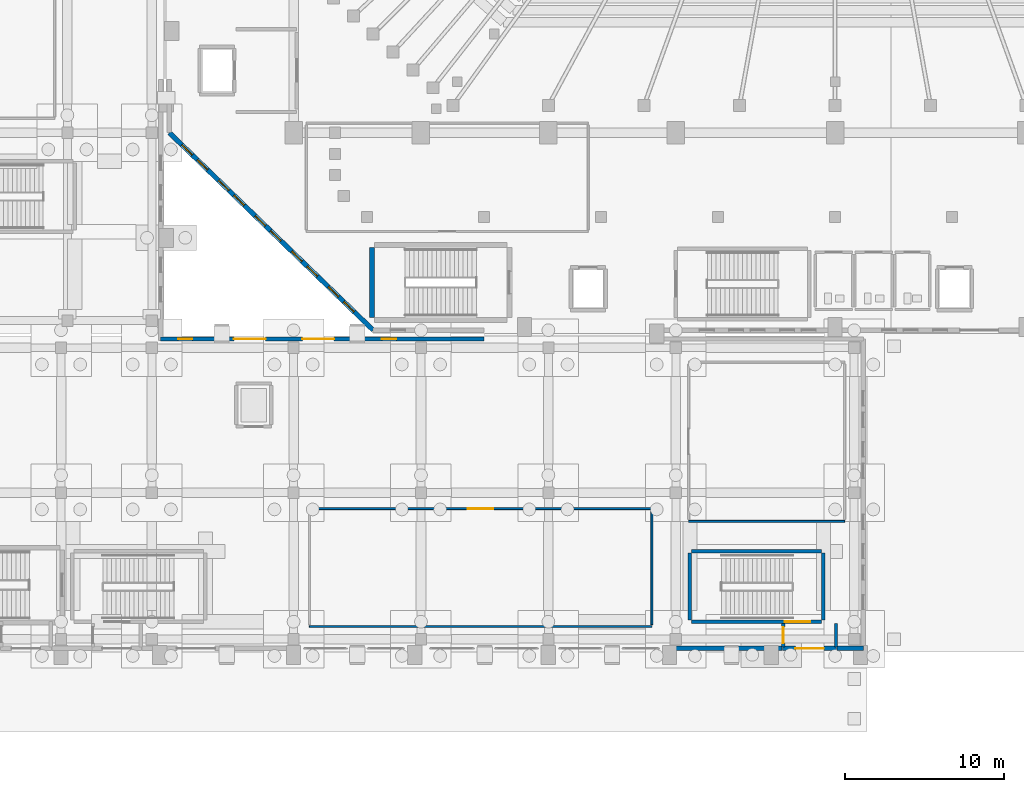
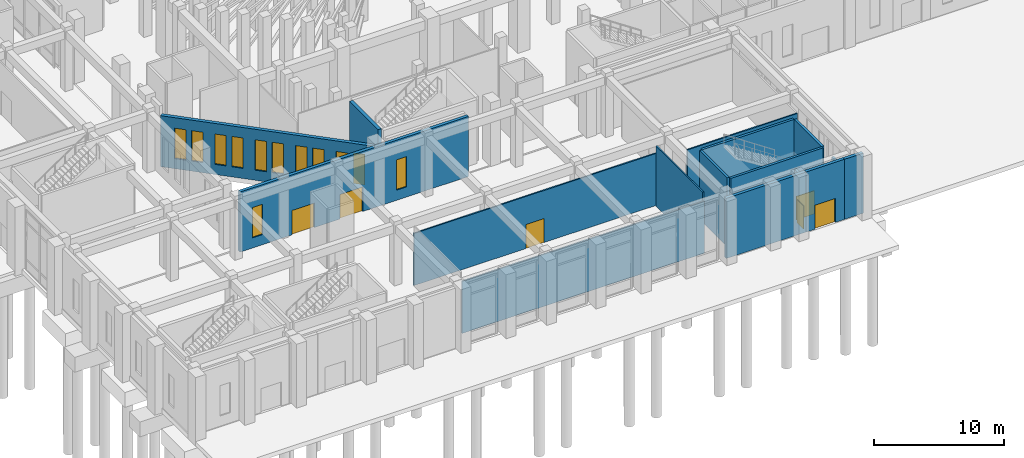
# One storey, part 104 of 143: 16 walls, 12 windows, 6 doors, 18 openings.
"""IFC4 building model written with IfcOpenShell, lengths in metres."""

from ifc_helpers import new_model, si_unit, derived_unit, direction, frame, frame_2d, origin, place, context, subcontext, project, spatial, rectangle, extrude, material, layer, layer_set, type_object, element, fill, save


model = new_model("IFC4")

# Units and contexts
model_context = context("Model", 3, precision=1e-05, world=origin(), true_north=direction((0.0, 1.0)))
body_context = subcontext(model_context, "Body", "Model", "MODEL_VIEW")
ifc_project = project(units=[si_unit("LENGTHUNIT", "METRE"), si_unit("AREAUNIT", "SQUARE_METRE"), si_unit("VOLUMEUNIT", "CUBIC_METRE"), si_unit("PLANEANGLEUNIT", "RADIAN"), si_unit("MASSUNIT", "GRAM", prefix="KILO"), derived_unit("THERMALTRANSMITTANCEUNIT", [(si_unit("MASSUNIT", "GRAM", prefix="KILO"), 1), (si_unit("TIMEUNIT", "SECOND"), -3), (si_unit("THERMODYNAMICTEMPERATUREUNIT", "KELVIN"), -1)])], contexts=[model_context])

# Site, building, storey
site_placement = place(None, origin())
site = spatial("IfcSite", under=ifc_project, at=site_placement, CompositionType="ELEMENT")
building_placement = place(site_placement, origin())
building = spatial("IfcBuilding", under=site, at=building_placement, Name="Valcora Ridge Arena", CompositionType="ELEMENT")
storey_placement = place(building_placement, origin())
storey = spatial("IfcBuildingStorey", under=building, at=storey_placement, Name="L00", CompositionType="ELEMENT", Elevation=0.0)

# Walls
ifc_material_1 = material(Name="Bush-hammered Andean travertine on concrete backup C40/50", Category="masonry")
ifc_layer_1 = layer(ifc_material_1, 0.280029296875, Name="Bush-hammered Andean travertine on concrete backup C40/50")
ifc_layer_set_1 = layer_set([ifc_layer_1], Name="Bush-hammered Andean travertine on concrete backup C40/50")
wall_type_1 = type_object("IfcWallType", Name="TY-WALL-EW-TRV-28-56", PredefinedType="STANDARD", material=ifc_layer_set_1)
wall_1_placement = place(storey_placement, frame((47.60009765625, 0.219970703125, 0.0), z_axis=(0.0, 0.0, 1.0), x_axis=(1.0, 0.0, 0.0)))
element("IfcWall", 1, at=wall_1_placement, inside=storey, type_object=wall_type_1, Name="EW-TRV-28-56 WAL-EW-0068", PredefinedType="STANDARD", context=body_context, shape_type="SweptSolid", body=[
    extrude(rectangle(XDim=7.079833984375, YDim=0.280029296875, at=frame_2d((3.5400390625, 0.0))), origin(), (0.0, 0.0, 1.0), 5.639892578125),
])
wall_2_placement = place(storey_placement, frame((58.1201171875, 0.219970703125, 0.0), z_axis=(0.0, 0.0, 1.0), x_axis=(1.0, 0.0, 0.0)))
element("IfcWall", 2, at=wall_2_placement, inside=storey, type_object=wall_type_1, Name="EW-TRV-28-56 WAL-EW-0069", PredefinedType="STANDARD", context=body_context, shape_type="SweptSolid", body=[
    extrude(rectangle(XDim=1.659912109375, YDim=0.280029296875, at=frame_2d((0.830078125, 0.0))), origin(), (0.0, 0.0, 1.0), 5.639892578125),
])

# Wall, openings, doors, windows
wall_3_placement = place(storey_placement, frame((15.64990234375, 19.64990234375, 0.0), z_axis=(0.0, 0.0, 1.0), x_axis=(1.0, 0.0, 0.0)))
wall_3 = element("IfcWall", 3, at=wall_3_placement, inside=storey, type_object=wall_type_1, Name="EW-TRV-28-56 WAL-EW-0071", PredefinedType="STANDARD", context=body_context, shape_type="SweptSolid", body=[
    extrude(rectangle(XDim=20.300048828125, YDim=0.280029296875, at=frame_2d((10.14990234375, 0.0))), origin(), (0.0, 0.0, 1.0), 5.639892578125),
])
opening_1_placement = place(wall_3_placement, frame((4.60009765625, 0.0, 0.0)))
opening_1 = element("IfcOpeningElement", 4, at=opening_1_placement, cuts=wall_3, Name="Opening D-EXIT-2000", PredefinedType="OPENING", context=body_context, shape_type="SweptSolid", body=[
    extrude(rectangle(XDim=2.0, YDim=2.300048828125, at=frame_2d((1.0, 1.14990234375))), frame((0.0, 0.14990234375, 0.0), z_axis=(0.0, -1.0, 0.0), x_axis=(1.0, 0.0, 0.0)), (0.0, 0.0, 1.0), 0.300048828125),
])
opening_2_placement = place(wall_3_placement, frame((8.89990234375, 0.0, 0.0)))
opening_2 = element("IfcOpeningElement", 5, at=opening_2_placement, cuts=wall_3, Name="Opening D-EXIT-2000", PredefinedType="OPENING", context=body_context, shape_type="SweptSolid", body=[
    extrude(rectangle(XDim=2.0, YDim=2.300048828125, at=frame_2d((1.0, 1.14990234375))), frame((0.0, 0.14990234375, 0.0), z_axis=(0.0, -1.0, 0.0), x_axis=(1.0, 0.0, 0.0)), (0.0, 0.0, 1.0), 0.300048828125),
])
opening_3_placement = place(wall_3_placement, frame((1.10009765625, 0.0, 0.949951171875)))
opening_3 = element("IfcOpeningElement", 6, at=opening_3_placement, cuts=wall_3, Name="Opening W-GLAN-90X285", PredefinedType="OPENING", context=body_context, shape_type="SweptSolid", body=[
    extrude(rectangle(XDim=0.89990234375, YDim=2.85009765625, at=frame_2d((0.449951171875, 1.425048828125))), frame((0.0, 0.14990234375, 0.0), z_axis=(0.0, -1.0, 0.0), x_axis=(1.0, 0.0, 0.0)), (0.0, 0.0, 1.0), 0.300048828125),
])
opening_4_placement = place(wall_3_placement, frame((13.89990234375, 0.0, 0.949951171875)))
opening_4 = element("IfcOpeningElement", 7, at=opening_4_placement, cuts=wall_3, Name="Opening W-GLAN-90X285", PredefinedType="OPENING", context=body_context, shape_type="SweptSolid", body=[
    extrude(rectangle(XDim=0.89990234375, YDim=2.85009765625, at=frame_2d((0.449951171875, 1.425048828125))), frame((0.0, 0.14990234375, 0.0), z_axis=(0.0, -1.0, 0.0), x_axis=(1.0, 0.0, 0.0)), (0.0, 0.0, 1.0), 0.300048828125),
])
ifc_material_2 = material(Name="Thermally broken bronze aluminium glazed entrance leaf", Category="aluminium")
door_type_1 = type_object("IfcDoorType", Name="TY-DOOR-D-EXIT-2000", OperationType="NOTDEFINED", PredefinedType="DOOR", material=ifc_material_2)
door_1_placement = place(opening_1_placement, origin())
door_1 = element("IfcDoor", 8, at=door_1_placement, inside=storey, type_object=door_type_1, Name="D-EXIT-2000 DOR-EX-0016", OperationType="DOUBLE_DOOR_SINGLE_SWING", OverallHeight=2.300048828125, OverallWidth=2.0, PredefinedType="DOOR", context=body_context, shape_type="SweptSolid", body=[
    extrude(rectangle(XDim=2.0, YDim=2.300048828125, at=frame_2d((1.0, 1.14990234375))), frame((0.0, 0.02490234375, 0.0), z_axis=(0.0, -1.0, 0.0), x_axis=(1.0, 0.0, 0.0)), (0.0, 0.0, 1.0), 0.050048828125),
])
fill(opening_1, door_1)
door_2_placement = place(opening_2_placement, origin())
door_2 = element("IfcDoor", 9, at=door_2_placement, inside=storey, type_object=door_type_1, Name="D-EXIT-2000 DOR-EX-0017", OperationType="DOUBLE_DOOR_SINGLE_SWING", OverallHeight=2.300048828125, OverallWidth=2.0, PredefinedType="DOOR", context=body_context, shape_type="SweptSolid", body=[
    extrude(rectangle(XDim=2.0, YDim=2.300048828125, at=frame_2d((1.0, 1.14990234375))), frame((0.0, 0.02490234375, 0.0), z_axis=(0.0, -1.0, 0.0), x_axis=(1.0, 0.0, 0.0)), (0.0, 0.0, 1.0), 0.050048828125),
])
fill(opening_2, door_2)
ifc_material_3 = material(Name="Low-iron solar-control double glazing SHGC 0.28", Category="glass")
window_type = type_object("IfcWindowType", Name="TY-WINDOW-W-GLAN-90X285", PartitioningType="DOUBLE_PANEL_VERTICAL", PredefinedType="WINDOW", material=ifc_material_3)
window_1_placement = place(opening_3_placement, origin())
window_1 = element("IfcWindow", 10, at=window_1_placement, inside=storey, type_object=window_type, Name="W-GLAN-90X285 WIN-EX-0186", OverallHeight=2.85009765625, OverallWidth=0.89990234375, PartitioningType="DOUBLE_PANEL_VERTICAL", PredefinedType="WINDOW", context=body_context, shape_type="SweptSolid", body=[
    extrude(rectangle(XDim=0.89990234375, YDim=2.85009765625, at=frame_2d((0.449951171875, 1.425048828125))), frame((0.0, 0.030029296875, 0.0), z_axis=(0.0, -1.0, 0.0), x_axis=(1.0, 0.0, 0.0)), (0.0, 0.0, 1.0), 0.06005859375),
])
fill(opening_3, window_1)
window_2_placement = place(opening_4_placement, origin())
window_2 = element("IfcWindow", 11, at=window_2_placement, inside=storey, type_object=window_type, Name="W-GLAN-90X285 WIN-EX-0187", OverallHeight=2.85009765625, OverallWidth=0.89990234375, PartitioningType="DOUBLE_PANEL_VERTICAL", PredefinedType="WINDOW", context=body_context, shape_type="SweptSolid", body=[
    extrude(rectangle(XDim=0.89990234375, YDim=2.85009765625, at=frame_2d((0.449951171875, 1.425048828125))), frame((0.0, 0.030029296875, 0.0), z_axis=(0.0, -1.0, 0.0), x_axis=(1.0, 0.0, 0.0)), (0.0, 0.0, 1.0), 0.06005859375),
])
fill(opening_4, window_2)

# Wall, openings, windows
ifc_layer_2 = layer(ifc_material_1, 0.300048828125, Name="Bush-hammered Andean travertine on concrete backup C40/50")
ifc_layer_set_2 = layer_set([ifc_layer_2], Name="Bush-hammered Andean travertine on concrete backup C40/50")
wall_type_2 = type_object("IfcWallType", Name="TY-WALL-EW-TRV-30-48", PredefinedType="STANDARD", material=ifc_layer_set_2)
wall_4_placement = place(storey_placement, frame((16.199951171875, 32.60009765625, 0.0), z_axis=(0.0, 0.0, 1.0), x_axis=(0.718237441527, -0.695798086796, 0.0)))
wall_4 = element("IfcWall", 12, at=wall_4_placement, inside=storey, type_object=wall_type_2, Name="EW-TRV-30-48 WAL-EW-0027", PredefinedType="STANDARD", context=body_context, shape_type="SweptSolid", body=[
    extrude(rectangle(XDim=17.821533203125, YDim=0.300048828125, at=frame_2d((8.91064453125, 0.0))), origin(), (0.0, 0.0, 1.0), 4.7900390625),
])
opening_5_placement = place(wall_4_placement, frame((1.10009765625, 0.0, 0.949951171875)))
opening_5 = element("IfcOpeningElement", 13, at=opening_5_placement, cuts=wall_4, Name="Opening W-GLAN-90X285", PredefinedType="OPENING", context=body_context, shape_type="SweptSolid", body=[
    extrude(rectangle(XDim=0.89990234375, YDim=2.85009765625, at=frame_2d((0.449951171875, 1.425048828125))), frame((0.0, 0.159912109375, 0.0), z_axis=(0.0, -1.0, 0.0), x_axis=(1.0, 0.0, 0.0)), (0.0, 0.0, 1.0), 0.320068359375),
])
opening_6_placement = place(wall_4_placement, frame((2.449951171875, 0.0, 0.949951171875)))
opening_6 = element("IfcOpeningElement", 14, at=opening_6_placement, cuts=wall_4, Name="Opening W-GLAN-90X285", PredefinedType="OPENING", context=body_context, shape_type="SweptSolid", body=[
    extrude(rectangle(XDim=0.89990234375, YDim=2.85009765625, at=frame_2d((0.449951171875, 1.425048828125))), frame((0.0, 0.159912109375, 0.0), z_axis=(0.0, -1.0, 0.0), x_axis=(1.0, 0.0, 0.0)), (0.0, 0.0, 1.0), 0.320068359375),
])
opening_7_placement = place(wall_4_placement, frame((4.300048828125, 0.0, 0.949951171875)))
opening_7 = element("IfcOpeningElement", 15, at=opening_7_placement, cuts=wall_4, Name="Opening W-GLAN-90X285", PredefinedType="OPENING", context=body_context, shape_type="SweptSolid", body=[
    extrude(rectangle(XDim=0.89990234375, YDim=2.85009765625, at=frame_2d((0.449951171875, 1.425048828125))), frame((0.0, 0.159912109375, 0.0), z_axis=(0.0, -1.0, 0.0), x_axis=(1.0, 0.0, 0.0)), (0.0, 0.0, 1.0), 0.320068359375),
])
opening_8_placement = place(wall_4_placement, frame((5.64990234375, 0.0, 0.949951171875)))
opening_8 = element("IfcOpeningElement", 16, at=opening_8_placement, cuts=wall_4, Name="Opening W-GLAN-90X285", PredefinedType="OPENING", context=body_context, shape_type="SweptSolid", body=[
    extrude(rectangle(XDim=0.89990234375, YDim=2.85009765625, at=frame_2d((0.449951171875, 1.425048828125))), frame((0.0, 0.159912109375, 0.0), z_axis=(0.0, -1.0, 0.0), x_axis=(1.0, 0.0, 0.0)), (0.0, 0.0, 1.0), 0.320068359375),
])
opening_9_placement = place(wall_4_placement, frame((7.5, 0.0, 0.949951171875)))
opening_9 = element("IfcOpeningElement", 17, at=opening_9_placement, cuts=wall_4, Name="Opening W-GLAN-90X285", PredefinedType="OPENING", context=body_context, shape_type="SweptSolid", body=[
    extrude(rectangle(XDim=0.89990234375, YDim=2.85009765625, at=frame_2d((0.449951171875, 1.425048828125))), frame((0.0, 0.159912109375, 0.0), z_axis=(0.0, -1.0, 0.0), x_axis=(1.0, 0.0, 0.0)), (0.0, 0.0, 1.0), 0.320068359375),
])
opening_10_placement = place(wall_4_placement, frame((8.85009765625, 0.0, 0.949951171875)))
opening_10 = element("IfcOpeningElement", 18, at=opening_10_placement, cuts=wall_4, Name="Opening W-GLAN-90X285", PredefinedType="OPENING", context=body_context, shape_type="SweptSolid", body=[
    extrude(rectangle(XDim=0.89990234375, YDim=2.85009765625, at=frame_2d((0.449951171875, 1.425048828125))), frame((0.0, 0.159912109375, 0.0), z_axis=(0.0, -1.0, 0.0), x_axis=(1.0, 0.0, 0.0)), (0.0, 0.0, 1.0), 0.320068359375),
])
opening_11_placement = place(wall_4_placement, frame((10.699951171875, 0.0, 0.949951171875)))
opening_11 = element("IfcOpeningElement", 19, at=opening_11_placement, cuts=wall_4, Name="Opening W-GLAN-90X285", PredefinedType="OPENING", context=body_context, shape_type="SweptSolid", body=[
    extrude(rectangle(XDim=0.89990234375, YDim=2.85009765625, at=frame_2d((0.449951171875, 1.425048828125))), frame((0.0, 0.159912109375, 0.0), z_axis=(0.0, -1.0, 0.0), x_axis=(1.0, 0.0, 0.0)), (0.0, 0.0, 1.0), 0.320068359375),
])
opening_12_placement = place(wall_4_placement, frame((12.050048828125, 0.0, 0.949951171875)))
opening_12 = element("IfcOpeningElement", 20, at=opening_12_placement, cuts=wall_4, Name="Opening W-GLAN-90X285", PredefinedType="OPENING", context=body_context, shape_type="SweptSolid", body=[
    extrude(rectangle(XDim=0.89990234375, YDim=2.85009765625, at=frame_2d((0.449951171875, 1.425048828125))), frame((0.0, 0.159912109375, 0.0), z_axis=(0.0, -1.0, 0.0), x_axis=(1.0, 0.0, 0.0)), (0.0, 0.0, 1.0), 0.320068359375),
])
opening_13_placement = place(wall_4_placement, frame((13.89990234375, 0.0, 0.949951171875)))
opening_13 = element("IfcOpeningElement", 21, at=opening_13_placement, cuts=wall_4, Name="Opening W-GLAN-90X285", PredefinedType="OPENING", context=body_context, shape_type="SweptSolid", body=[
    extrude(rectangle(XDim=0.89990234375, YDim=2.85009765625, at=frame_2d((0.449951171875, 1.425048828125))), frame((0.0, 0.159912109375, 0.0), z_axis=(0.0, -1.0, 0.0), x_axis=(1.0, 0.0, 0.0)), (0.0, 0.0, 1.0), 0.320068359375),
])
opening_14_placement = place(wall_4_placement, frame((15.25, 0.0, 0.949951171875)))
opening_14 = element("IfcOpeningElement", 22, at=opening_14_placement, cuts=wall_4, Name="Opening W-GLAN-90X285", PredefinedType="OPENING", context=body_context, shape_type="SweptSolid", body=[
    extrude(rectangle(XDim=0.89990234375, YDim=2.85009765625, at=frame_2d((0.449951171875, 1.425048828125))), frame((0.0, 0.159912109375, 0.0), z_axis=(0.0, -1.0, 0.0), x_axis=(1.0, 0.0, 0.0)), (0.0, 0.0, 1.0), 0.320068359375),
])
window_3_placement = place(opening_5_placement, origin())
window_3 = element("IfcWindow", 23, at=window_3_placement, inside=storey, type_object=window_type, Name="W-GLAN-90X285 WIN-EX-0030", OverallHeight=2.85009765625, OverallWidth=0.89990234375, PartitioningType="DOUBLE_PANEL_VERTICAL", PredefinedType="WINDOW", context=body_context, shape_type="SweptSolid", body=[
    extrude(rectangle(XDim=0.89990234375, YDim=2.85009765625, at=frame_2d((0.449951171875, 1.425048828125))), frame((0.0, 0.030029296875, 0.0), z_axis=(0.0, -1.0, 0.0), x_axis=(1.0, 0.0, 0.0)), (0.0, 0.0, 1.0), 0.06005859375),
])
fill(opening_5, window_3)
window_4_placement = place(opening_6_placement, origin())
window_4 = element("IfcWindow", 24, at=window_4_placement, inside=storey, type_object=window_type, Name="W-GLAN-90X285 WIN-EX-0031", OverallHeight=2.85009765625, OverallWidth=0.89990234375, PartitioningType="DOUBLE_PANEL_VERTICAL", PredefinedType="WINDOW", context=body_context, shape_type="SweptSolid", body=[
    extrude(rectangle(XDim=0.89990234375, YDim=2.85009765625, at=frame_2d((0.449951171875, 1.425048828125))), frame((0.0, 0.030029296875, 0.0), z_axis=(0.0, -1.0, 0.0), x_axis=(1.0, 0.0, 0.0)), (0.0, 0.0, 1.0), 0.06005859375),
])
fill(opening_6, window_4)
window_5_placement = place(opening_7_placement, origin())
window_5 = element("IfcWindow", 25, at=window_5_placement, inside=storey, type_object=window_type, Name="W-GLAN-90X285 WIN-EX-0032", OverallHeight=2.85009765625, OverallWidth=0.89990234375, PartitioningType="DOUBLE_PANEL_VERTICAL", PredefinedType="WINDOW", context=body_context, shape_type="SweptSolid", body=[
    extrude(rectangle(XDim=0.89990234375, YDim=2.85009765625, at=frame_2d((0.449951171875, 1.425048828125))), frame((0.0, 0.030029296875, 0.0), z_axis=(0.0, -1.0, 0.0), x_axis=(1.0, 0.0, 0.0)), (0.0, 0.0, 1.0), 0.06005859375),
])
fill(opening_7, window_5)
window_6_placement = place(opening_8_placement, origin())
window_6 = element("IfcWindow", 26, at=window_6_placement, inside=storey, type_object=window_type, Name="W-GLAN-90X285 WIN-EX-0033", OverallHeight=2.85009765625, OverallWidth=0.89990234375, PartitioningType="DOUBLE_PANEL_VERTICAL", PredefinedType="WINDOW", context=body_context, shape_type="SweptSolid", body=[
    extrude(rectangle(XDim=0.89990234375, YDim=2.85009765625, at=frame_2d((0.449951171875, 1.425048828125))), frame((0.0, 0.030029296875, 0.0), z_axis=(0.0, -1.0, 0.0), x_axis=(1.0, 0.0, 0.0)), (0.0, 0.0, 1.0), 0.06005859375),
])
fill(opening_8, window_6)
window_7_placement = place(opening_9_placement, origin())
window_7 = element("IfcWindow", 27, at=window_7_placement, inside=storey, type_object=window_type, Name="W-GLAN-90X285 WIN-EX-0034", OverallHeight=2.85009765625, OverallWidth=0.89990234375, PartitioningType="DOUBLE_PANEL_VERTICAL", PredefinedType="WINDOW", context=body_context, shape_type="SweptSolid", body=[
    extrude(rectangle(XDim=0.89990234375, YDim=2.85009765625, at=frame_2d((0.449951171875, 1.425048828125))), frame((0.0, 0.030029296875, 0.0), z_axis=(0.0, -1.0, 0.0), x_axis=(1.0, 0.0, 0.0)), (0.0, 0.0, 1.0), 0.06005859375),
])
fill(opening_9, window_7)
window_8_placement = place(opening_10_placement, origin())
window_8 = element("IfcWindow", 28, at=window_8_placement, inside=storey, type_object=window_type, Name="W-GLAN-90X285 WIN-EX-0035", OverallHeight=2.85009765625, OverallWidth=0.89990234375, PartitioningType="DOUBLE_PANEL_VERTICAL", PredefinedType="WINDOW", context=body_context, shape_type="SweptSolid", body=[
    extrude(rectangle(XDim=0.89990234375, YDim=2.85009765625, at=frame_2d((0.449951171875, 1.425048828125))), frame((0.0, 0.030029296875, 0.0), z_axis=(0.0, -1.0, 0.0), x_axis=(1.0, 0.0, 0.0)), (0.0, 0.0, 1.0), 0.06005859375),
])
fill(opening_10, window_8)
window_9_placement = place(opening_11_placement, origin())
window_9 = element("IfcWindow", 29, at=window_9_placement, inside=storey, type_object=window_type, Name="W-GLAN-90X285 WIN-EX-0036", OverallHeight=2.85009765625, OverallWidth=0.89990234375, PartitioningType="DOUBLE_PANEL_VERTICAL", PredefinedType="WINDOW", context=body_context, shape_type="SweptSolid", body=[
    extrude(rectangle(XDim=0.89990234375, YDim=2.85009765625, at=frame_2d((0.449951171875, 1.425048828125))), frame((0.0, 0.030029296875, 0.0), z_axis=(0.0, -1.0, 0.0), x_axis=(1.0, 0.0, 0.0)), (0.0, 0.0, 1.0), 0.06005859375),
])
fill(opening_11, window_9)
window_10_placement = place(opening_12_placement, origin())
window_10 = element("IfcWindow", 30, at=window_10_placement, inside=storey, type_object=window_type, Name="W-GLAN-90X285 WIN-EX-0037", OverallHeight=2.85009765625, OverallWidth=0.89990234375, PartitioningType="DOUBLE_PANEL_VERTICAL", PredefinedType="WINDOW", context=body_context, shape_type="SweptSolid", body=[
    extrude(rectangle(XDim=0.89990234375, YDim=2.85009765625, at=frame_2d((0.449951171875, 1.425048828125))), frame((0.0, 0.030029296875, 0.0), z_axis=(0.0, -1.0, 0.0), x_axis=(1.0, 0.0, 0.0)), (0.0, 0.0, 1.0), 0.06005859375),
])
fill(opening_12, window_10)
window_11_placement = place(opening_13_placement, origin())
window_11 = element("IfcWindow", 31, at=window_11_placement, inside=storey, type_object=window_type, Name="W-GLAN-90X285 WIN-EX-0038", OverallHeight=2.85009765625, OverallWidth=0.89990234375, PartitioningType="DOUBLE_PANEL_VERTICAL", PredefinedType="WINDOW", context=body_context, shape_type="SweptSolid", body=[
    extrude(rectangle(XDim=0.89990234375, YDim=2.85009765625, at=frame_2d((0.449951171875, 1.425048828125))), frame((0.0, 0.030029296875, 0.0), z_axis=(0.0, -1.0, 0.0), x_axis=(1.0, 0.0, 0.0)), (0.0, 0.0, 1.0), 0.06005859375),
])
fill(opening_13, window_11)
window_12_placement = place(opening_14_placement, origin())
window_12 = element("IfcWindow", 32, at=window_12_placement, inside=storey, type_object=window_type, Name="W-GLAN-90X285 WIN-EX-0039", OverallHeight=2.85009765625, OverallWidth=0.89990234375, PartitioningType="DOUBLE_PANEL_VERTICAL", PredefinedType="WINDOW", context=body_context, shape_type="SweptSolid", body=[
    extrude(rectangle(XDim=0.89990234375, YDim=2.85009765625, at=frame_2d((0.449951171875, 1.425048828125))), frame((0.0, 0.030029296875, 0.0), z_axis=(0.0, -1.0, 0.0), x_axis=(1.0, 0.0, 0.0)), (0.0, 0.0, 1.0), 0.06005859375),
])
fill(opening_14, window_12)

# Wall, opening, door
ifc_layer_3 = layer(ifc_material_1, 0.280029296875, Name="Bush-hammered Andean travertine on concrete backup C40/50")
ifc_layer_set_3 = layer_set([ifc_layer_3], Name="Bush-hammered Andean travertine on concrete backup C40/50")
wall_type_3 = type_object("IfcWallType", Name="TY-WALL-EW-TRV-XP-56", PredefinedType="STANDARD", material=ifc_layer_set_3)
wall_5_placement = place(storey_placement, frame((58.10009765625, 0.219970703125, 0.0), z_axis=(0.0, 0.0, 1.0), x_axis=(-1.0, 0.0, 0.0)))
wall_5 = element("IfcWall", 33, at=wall_5_placement, inside=storey, type_object=wall_type_3, Name="EW-TRV-XP-56 WAL-XP-0007", PredefinedType="STANDARD", context=body_context, shape_type="SweptSolid", body=[
    extrude(rectangle(XDim=3.400146484375, YDim=0.280029296875, at=frame_2d((1.7001953125, 0.0))), origin(), (0.0, 0.0, 1.0), 5.639892578125),
])
opening_15_placement = place(wall_5_placement, frame((0.800048828125, 0.0, 0.0)))
opening_15 = element("IfcOpeningElement", 34, at=opening_15_placement, cuts=wall_5, Name="Opening D-EXP-1800", PredefinedType="OPENING", context=body_context, shape_type="SweptSolid", body=[
    extrude(rectangle(XDim=1.800048828125, YDim=2.25, at=frame_2d((0.89990234375, 1.125))), frame((0.0, 0.14990234375, 0.0), z_axis=(0.0, -1.0, 0.0), x_axis=(1.0, 0.0, 0.0)), (0.0, 0.0, 1.0), 0.300048828125),
])
ifc_material_4 = material(Name="Insulated fire-rated steel door leaf", Category="steel")
door_type_2 = type_object("IfcDoorType", Name="TY-DOOR-D-EXP-1800", OperationType="NOTDEFINED", PredefinedType="DOOR", material=ifc_material_4)
door_3_placement = place(opening_15_placement, origin())
door_3 = element("IfcDoor", 35, at=door_3_placement, inside=storey, type_object=door_type_2, Name="Final Exit Discharge Door ES06", OperationType="DOUBLE_DOOR_SINGLE_SWING", OverallHeight=2.25, OverallWidth=1.800048828125, PredefinedType="DOOR", context=body_context, shape_type="SweptSolid", body=[
    extrude(rectangle(XDim=1.800048828125, YDim=2.25, at=frame_2d((0.89990234375, 1.125))), frame((0.0, 0.02490234375, 0.0), z_axis=(0.0, -1.0, 0.0), x_axis=(1.0, 0.0, 0.0)), (0.0, 0.0, 1.0), 0.050048828125),
])
fill(opening_15, door_3)

ifc_material_5 = material(Name="Fire-resisting reinforced concrete enclosure C40/50 200 mm", Category="concrete")
ifc_layer_4 = layer(ifc_material_5, 0.199951171875, Name="Fire-resisting reinforced concrete enclosure C40/50 200 mm")
ifc_layer_set_4 = layer_set([ifc_layer_4], Name="Fire-resisting reinforced concrete enclosure C40/50 200 mm")
wall_type_4 = type_object("IfcWallType", Name="TY-WALL-IW-FIRE-200", PredefinedType="STANDARD", material=ifc_layer_set_4)
wall_6_placement = place(storey_placement, frame((54.75, 0.320068359375, 0.0), z_axis=(0.0, 0.0, 1.0), x_axis=(0.0, 1.0, 0.0)))
wall_6 = element("IfcWall", 36, at=wall_6_placement, inside=storey, type_object=wall_type_4, Name="IW-FIRE-200 WAL-XP-0008", PredefinedType="STANDARD", context=body_context, shape_type="SweptSolid", body=[
    extrude(rectangle(XDim=1.469970703125, YDim=0.199951171875, at=frame_2d((0.73486328125, 0.0))), origin(), (0.0, 0.0, 1.0), 4.889892578125),
])
opening_16_placement = place(wall_6_placement, frame((0.235107421875, 0.0, 0.0)))
opening_16 = element("IfcOpeningElement", 37, at=opening_16_placement, cuts=wall_6, Name="Opening FD-STE-1000", PredefinedType="OPENING", context=body_context, shape_type="SweptSolid", body=[
    extrude(rectangle(XDim=1.0, YDim=2.14990234375, at=frame_2d((0.5, 1.074951171875))), frame((0.0, 0.10986328125, 0.0), z_axis=(0.0, -1.0, 0.0), x_axis=(1.0, 0.0, 0.0)), (0.0, 0.0, 1.0), 0.219970703125),
])
door_type_3 = type_object("IfcDoorType", Name="TY-DOOR-FD-STE-1000", OperationType="NOTDEFINED", PredefinedType="DOOR", material=ifc_material_4)
door_4_placement = place(opening_16_placement, origin())
door_4 = element("IfcDoor", 38, at=door_4_placement, inside=storey, type_object=door_type_3, Name="FD-STE-1000 DOR-XP-0006", OperationType="SINGLE_SWING_LEFT", OverallHeight=2.14990234375, OverallWidth=1.0, PredefinedType="DOOR", context=body_context, shape_type="SweptSolid", body=[
    extrude(rectangle(XDim=1.0, YDim=2.14990234375, at=frame_2d((0.5, 1.074951171875))), frame((0.0, 0.02490234375, 0.0), z_axis=(0.0, -1.0, 0.0), x_axis=(1.0, 0.0, 0.0)), (0.0, 0.0, 1.0), 0.050048828125),
])
fill(opening_16, door_4)

# Walls
wall_7_placement = place(storey_placement, frame((58.050048828125, 0.320068359375, 0.0), z_axis=(0.0, 0.0, 1.0), x_axis=(0.0, 1.0, 0.0)))
element("IfcWall", 39, at=wall_7_placement, inside=storey, type_object=wall_type_4, Name="IW-FIRE-200 WAL-XP-0009", PredefinedType="STANDARD", context=body_context, shape_type="SweptSolid", body=[
    extrude(rectangle(XDim=1.469970703125, YDim=0.199951171875, at=frame_2d((0.73486328125, 0.0))), origin(), (0.0, 0.0, 1.0), 4.889892578125),
])
ifc_material_6 = material(Name="Acoustic metal-stud gypsum partition 120 mm")
ifc_layer_5 = layer(ifc_material_6, 0.1201171875, Name="Acoustic metal-stud gypsum partition 120 mm")
ifc_layer_set_5 = layer_set([ifc_layer_5], Name="Acoustic metal-stud gypsum partition 120 mm")
wall_type_5 = type_object("IfcWallType", Name="TY-WALL-IW-PART-120", PredefinedType="PARTITIONING", material=ifc_layer_set_5)
wall_8_placement = place(storey_placement, frame((25.0, 1.60009765625, 0.0), z_axis=(0.0, 0.0, 1.0), x_axis=(1.0, 0.0, 0.0)))
element("IfcWall", 40, at=wall_8_placement, inside=storey, type_object=wall_type_5, Name="IW-PART-120 WAL-IN-0257", PredefinedType="PARTITIONING", context=body_context, shape_type="SweptSolid", body=[
    extrude(rectangle(XDim=21.5, YDim=0.1201171875, at=frame_2d((10.75, 0.0))), origin(), (0.0, 0.0, 1.0), 4.889892578125),
])

# Wall, opening, door
wall_9_placement = place(storey_placement, frame((25.0, 9.0, 0.0), z_axis=(0.0, 0.0, 1.0), x_axis=(1.0, 0.0, 0.0)))
wall_9 = element("IfcWall", 41, at=wall_9_placement, inside=storey, type_object=wall_type_5, Name="IW-PART-120 WAL-IN-0258", PredefinedType="PARTITIONING", context=body_context, shape_type="SweptSolid", body=[
    extrude(rectangle(XDim=21.5, YDim=0.1201171875, at=frame_2d((10.75, 0.0))), origin(), (0.0, 0.0, 1.0), 4.889892578125),
])
opening_17_placement = place(wall_9_placement, frame((9.949951171875, 0.0, 0.0)))
opening_17 = element("IfcOpeningElement", 42, at=opening_17_placement, cuts=wall_9, Name="Opening D-PUB-1600", PredefinedType="OPENING", context=body_context, shape_type="SweptSolid", body=[
    extrude(rectangle(XDim=1.60009765625, YDim=2.25, at=frame_2d((0.800048828125, 1.125))), frame((0.0, 0.070068359375, 0.0), z_axis=(0.0, -1.0, 0.0), x_axis=(1.0, 0.0, 0.0)), (0.0, 0.0, 1.0), 0.14013671875),
])
ifc_material_7 = material(Name="Solid-core acoustic timber veneer door leaf", Category="wood")
door_type_4 = type_object("IfcDoorType", Name="TY-DOOR-D-PUB-1600", OperationType="NOTDEFINED", PredefinedType="DOOR", material=ifc_material_7)
door_5_placement = place(opening_17_placement, origin())
door_5 = element("IfcDoor", 43, at=door_5_placement, inside=storey, type_object=door_type_4, Name="D-PUB-1600 DOR-IN-0069", OperationType="DOUBLE_DOOR_SINGLE_SWING", OverallHeight=2.25, OverallWidth=1.60009765625, PredefinedType="DOOR", context=body_context, shape_type="SweptSolid", body=[
    extrude(rectangle(XDim=1.60009765625, YDim=2.25, at=frame_2d((0.800048828125, 1.125))), frame((0.0, 0.02490234375, 0.0), z_axis=(0.0, -1.0, 0.0), x_axis=(1.0, 0.0, 0.0)), (0.0, 0.0, 1.0), 0.050048828125),
])
fill(opening_17, door_5)

# Walls
wall_10_placement = place(storey_placement, frame((46.5, 1.719970703125, 0.0), z_axis=(0.0, 0.0, 1.0), x_axis=(0.0, 1.0, 0.0)))
element("IfcWall", 44, at=wall_10_placement, inside=storey, type_object=wall_type_5, Name="IW-PART-120 WAL-IN-0260", PredefinedType="PARTITIONING", context=body_context, shape_type="SweptSolid", body=[
    extrude(rectangle(XDim=7.159912109375, YDim=0.1201171875, at=frame_2d((3.580078125, 0.0))), origin(), (0.0, 0.0, 1.0), 5.639892578125),
])
wall_11_placement = place(storey_placement, frame((48.800048828125, 8.199951171875, 0.0), z_axis=(0.0, 0.0, 1.0), x_axis=(1.0, 0.0, 0.0)))
element("IfcWall", 45, at=wall_11_placement, inside=storey, type_object=wall_type_5, Name="IW-PART-120 WAL-IN-0261", PredefinedType="PARTITIONING", context=body_context, shape_type="SweptSolid", body=[
    extrude(rectangle(XDim=9.800048828125, YDim=0.1201171875, at=frame_2d((4.89990234375, 0.0))), origin(), (0.0, 0.0, 1.0), 4.889892578125),
])
ifc_material_8 = material(Name="Concrete C45/55", Category="concrete")
ifc_layer_6 = layer(ifc_material_8, 0.300048828125, Name="Concrete C45/55")
ifc_layer_set_6 = layer_set([ifc_layer_6], Name="Concrete C45/55")
wall_type_6 = type_object("IfcWallType", Name="TY-WALL-SW-C300-S", PredefinedType="SHEAR", material=ifc_layer_set_6)
wall_12_placement = place(storey_placement, frame((28.929931640625, 21.0, 0.0), z_axis=(0.0, 0.0, 1.0), x_axis=(0.0, 1.0, 0.0)))
element("IfcWall", 46, at=wall_12_placement, inside=storey, type_object=wall_type_6, Name="SW-C300-S WAL-CR-0007", PredefinedType="SHEAR", context=body_context, shape_type="SweptSolid", body=[
    extrude(rectangle(XDim=4.39990234375, YDim=0.300048828125, at=frame_2d((2.199951171875, 0.0))), origin(), (0.0, 0.0, 1.0), 6.0),
])

# Wall, opening, door
ifc_layer_7 = layer(ifc_material_5, 0.219970703125, Name="Fire-resisting reinforced concrete enclosure C40/50 200 mm")
ifc_layer_set_7 = layer_set([ifc_layer_7], Name="Fire-resisting reinforced concrete enclosure C40/50 200 mm")
wall_type_7 = type_object("IfcWallType", Name="TY-WALL-SW-ES-220", PredefinedType="SHEAR", material=ifc_layer_set_7)
wall_13_placement = place(storey_placement, frame((49.0, 1.889892578125, -0.449951171875), z_axis=(0.0, 0.0, 1.0), x_axis=(1.0, 0.0, 0.0)))
wall_13 = element("IfcWall", 47, at=wall_13_placement, inside=storey, type_object=wall_type_7, Name="SW-ES-220 WAL-ES-0117", PredefinedType="SHEAR", context=body_context, shape_type="SweptSolid", body=[
    extrude(rectangle(XDim=8.159912109375, YDim=0.219970703125, at=frame_2d((4.080078125, 0.0))), origin(), (0.0, 0.0, 1.0), 6.449951171875),
])
opening_18_placement = place(wall_13_placement, frame((5.85009765625, 0.0, 0.449951171875)))
opening_18 = element("IfcOpeningElement", 48, at=opening_18_placement, cuts=wall_13, Name="Opening FD-02", PredefinedType="OPENING", context=body_context, shape_type="SweptSolid", body=[
    extrude(rectangle(XDim=1.60009765625, YDim=2.199951171875, at=frame_2d((0.800048828125, 1.10009765625))), frame((0.0, 0.119873046875, 0.0), z_axis=(0.0, -1.0, 0.0), x_axis=(1.0, 0.0, 0.0)), (0.0, 0.0, 1.0), 0.239990234375),
])
door_type_5 = type_object("IfcDoorType", Name="TY-DOOR-FD-02", OperationType="NOTDEFINED", PredefinedType="DOOR", material=ifc_material_4)
door_6_placement = place(opening_18_placement, origin())
door_6 = element("IfcDoor", 49, at=door_6_placement, inside=storey, type_object=door_type_5, Name="FD-02 DOR-ES-0026", OperationType="DOUBLE_DOOR_SINGLE_SWING", OverallHeight=2.199951171875, OverallWidth=1.60009765625, PredefinedType="DOOR", context=body_context, shape_type="SweptSolid", body=[
    extrude(rectangle(XDim=1.60009765625, YDim=2.199951171875, at=frame_2d((0.800048828125, 1.10009765625))), frame((0.0, 0.02490234375, 0.0), z_axis=(0.0, -1.0, 0.0), x_axis=(1.0, 0.0, 0.0)), (0.0, 0.0, 1.0), 0.050048828125),
])
fill(opening_18, door_6)

# Walls
wall_14_placement = place(storey_placement, frame((49.0, 6.31005859375, -0.449951171875), z_axis=(0.0, 0.0, 1.0), x_axis=(1.0, 0.0, 0.0)))
element("IfcWall", 50, at=wall_14_placement, inside=storey, type_object=wall_type_7, Name="SW-ES-220 WAL-ES-0118", PredefinedType="SHEAR", context=body_context, shape_type="SweptSolid", body=[
    extrude(rectangle(XDim=8.159912109375, YDim=0.219970703125, at=frame_2d((4.080078125, 0.0))), origin(), (0.0, 0.0, 1.0), 6.449951171875),
])
for number, where, z_axis, x_axis, name in (
    (51, (48.889892578125, 2.0, -0.449951171875), (0.0, 0.0, 1.0), (0.0, 1.0, 0.0), "SW-ES-220 WAL-ES-0119"),
    (52, (57.27001953125, 2.0, -0.449951171875), (0.0, 0.0, 1.0), (0.0, 1.0, 0.0), "SW-ES-220 WAL-ES-0120"),
):
    element("IfcWall", number, at=place(storey_placement, frame(where, z_axis=z_axis, x_axis=x_axis)), inside=storey, type_object=wall_type_7, Name=name, PredefinedType="SHEAR", context=body_context, shape_type="SweptSolid", body=[
        extrude(rectangle(XDim=4.199951171875, YDim=0.219970703125, at=frame_2d((2.10009765625, 0.0))), origin(), (0.0, 0.0, 1.0), 6.449951171875),
    ])

save(model, "model.ifc")
